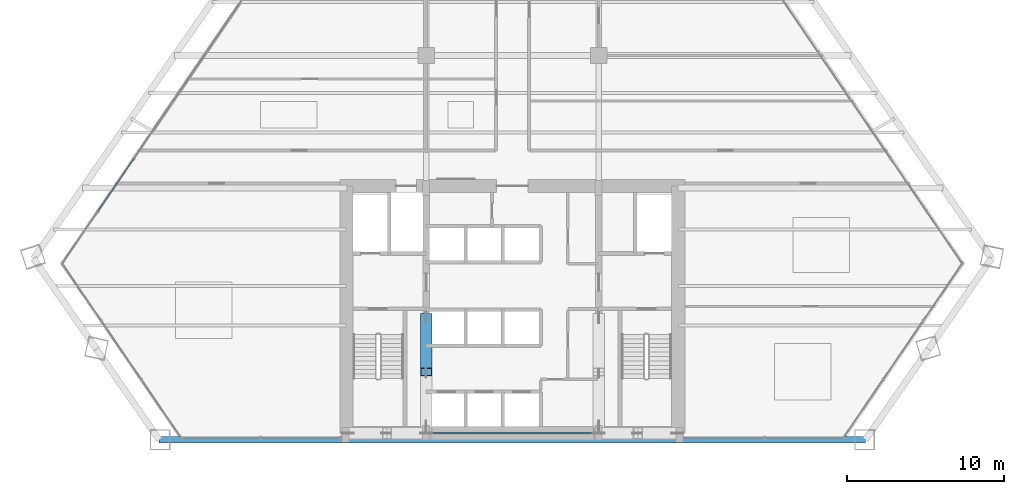
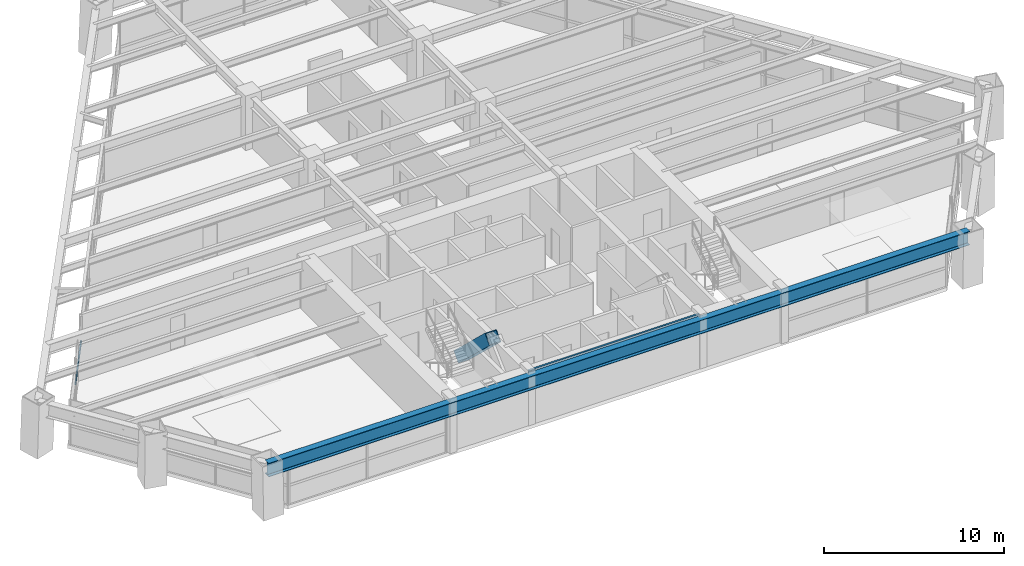
# One storey, part 3 of 13: 2 beams, 2 members, 1 element without a shape of its own.
"""IFC4 building model written with IfcOpenShell, lengths in metres."""

from ifc_helpers import new_model, si_unit, direction, frame, origin, origin_2d, place, context, subcontext, project, spatial, rectangle, hollow_rectangle, i_section, extrude, source, transform, mapped, material, material_profile, profile_set, type_object, type_shapes, element, aggregate, save


model = new_model("IFC4")

# Units and contexts
model_context = context("Model", 3, precision=1e-05, world=origin(), true_north=direction((0.0, 1.0)))
body_context = subcontext(model_context, "Body", "Model", "MODEL_VIEW")
ifc_project = project(units=[si_unit("LENGTHUNIT", "METRE"), si_unit("AREAUNIT", "SQUARE_METRE"), si_unit("VOLUMEUNIT", "CUBIC_METRE"), si_unit("PLANEANGLEUNIT", "RADIAN"), si_unit("MASSUNIT", "GRAM", prefix="KILO")], contexts=[model_context])

# Site, building, storey
site_placement = place(None, origin())
site = spatial("IfcSite", under=ifc_project, at=site_placement, CompositionType="ELEMENT")
building_placement = place(site_placement, origin())
building = spatial("IfcBuilding", under=site, at=building_placement, Name="Varnakhor Terracotta Tower", CompositionType="ELEMENT")
storey_placement = place(building_placement, frame((0.0, 0.0, 27.5)))
storey = spatial("IfcBuildingStorey", under=building, at=storey_placement, Name="L05", CompositionType="ELEMENT", Elevation=27.5)

# Beams
ifc_material_1 = material(Name="Steel S355", Category="steel")
ifc_material_profile_1 = material_profile(ifc_material_1, i_section(OverallWidth=0.41796875, OverallDepth=0.927001953125, WebThickness=0.01904296875, FlangeThickness=0.031982421875, FilletRadius=0.01806640625, at=origin_2d()), Name="W36X231")
ifc_profile_set_1 = profile_set([ifc_material_profile_1], Name="Steel S355")
beam_type_1 = type_object("IfcBeamType", Name="BM-W36X231", PredefinedType="BEAM", material=ifc_profile_set_1)
shared_shape_1 = source(origin(), body_context, "Body", "SweptSolid", [
    extrude(i_section(OverallWidth=0.41796875, OverallDepth=0.927001953125, WebThickness=0.01904296875, FlangeThickness=0.031982421875, FilletRadius=0.01806640625, at=origin_2d()), origin(), (0.0, 0.0, 1.0), 45.02783203125),
])
beam_1_placement = place(storey_placement, frame((-22.518798828125, 0.0, 2.986572265625), z_axis=(1.0, 0.0, 0.0), x_axis=(0.0, 1.0, 0.0)))
element("IfcBeam", 1, at=beam_1_placement, inside=storey, type_object=beam_type_1, Name="L05 Perimeter Spandrel 1", PredefinedType="BEAM", context=body_context, shape_type="MappedRepresentation", body=[
    mapped(shared_shape_1, transform((0.0, 0.0, 0.0), scale=1.0)),
])
ifc_material_profile_2 = material_profile(ifc_material_1, i_section(OverallWidth=0.1201171875, OverallDepth=0.239990234375, WebThickness=0.006103515625, FlangeThickness=0.009765625, FilletRadius=0.01806640625, at=origin_2d()), Name="IPE240")
ifc_profile_set_2 = profile_set([ifc_material_profile_2], Name="Steel S355")
beam_type_2 = type_object("IfcBeamType", Name="LNT-IPE240", PredefinedType="LINTEL", material=ifc_profile_set_2)
shared_shape_2 = source(origin(), body_context, "Body", "SweptSolid", [
    extrude(i_section(OverallWidth=0.1201171875, OverallDepth=0.239990234375, WebThickness=0.006103515625, FlangeThickness=0.009765625, FilletRadius=0.01806640625, at=origin_2d()), origin(), (0.0, 0.0, 1.0), 11.0),
])
type_shapes(beam_type_2, [shared_shape_2])
beam_2_placement = place(storey_placement, frame((-5.5, 0.419921875, 3.330078125), z_axis=(1.0, 0.0, 0.0), x_axis=(0.0, 1.0, 0.0)))
element("IfcBeam", 2, at=beam_2_placement, inside=storey, type_object=beam_type_2, Name="L05 Core South Coupling Lintel", PredefinedType="LINTEL", context=body_context, shape_type="MappedRepresentation", body=[
    mapped(shared_shape_2, transform((0.0, 0.0, 0.0), scale=1.0)),
])

# Member
ifc_material_2 = material(Name="Steel S460", Category="steel")
ifc_material_profile_3 = material_profile(ifc_material_2, hollow_rectangle(XDim=0.75, YDim=0.75, WallThickness=0.044921875, at=origin_2d()), Name="HSS750X750X45")
ifc_profile_set_3 = profile_set([ifc_material_profile_3], Name="Steel S460")
member_type_1 = type_object("IfcMemberType", Name="MBR-MEGA-750", PredefinedType="BRACE", material=ifc_profile_set_3)
shared_shape_3 = source(origin(), body_context, "Body", "SweptSolid", [
    extrude(hollow_rectangle(XDim=0.75, YDim=0.75, WallThickness=0.044921875, at=origin_2d()), origin(), (0.0, 0.0, 1.0), 4.792236328125),
])
member_1_placement = place(storey_placement, frame((-5.5, 7.800048828125, 0.0), z_axis=(0.0, -0.72513424341, 0.688607529028), x_axis=(1.0, 0.0, 0.0)))
element("IfcMember", 3, at=member_1_placement, inside=storey, type_object=member_type_1, Name="L05 Core Coupled Brace CWWB", PredefinedType="BRACE", context=body_context, shape_type="MappedRepresentation", body=[
    mapped(shared_shape_3, transform((0.0, 0.0, 0.0), scale=1.0)),
])

# Curtain wall, member
ifc_material_3 = material(Name="Anodised Aluminium Curtain Wall System", Category="aluminium")
curtain_wall_type = type_object("IfcCurtainWallType", Name="CW-SYS-LOW-OFFICE", PredefinedType="NOTDEFINED", material=ifc_material_3)
curtain_wall_placement = place(storey_placement, origin())
curtain_wall = element("IfcCurtainWall", 4, at=curtain_wall_placement, inside=storey, type_object=curtain_wall_type, Name="L05 Facet Curtain Wall 1", PredefinedType="NOTDEFINED")
ifc_material_4 = material(Name="Anodised Aluminium 6063-T6", Category="aluminium")
ifc_material_profile_4 = material_profile(ifc_material_4, rectangle(XDim=0.074951171875, YDim=0.1650390625, at=origin_2d()), Name="ALU TRANSOM 75x165")
ifc_profile_set_4 = profile_set([ifc_material_profile_4], Name="Anodised Aluminium 6063-T6")
member_type_2 = type_object("IfcMemberType", Name="CWT-02", PredefinedType="USERDEFINED", material=ifc_profile_set_4)
shared_shape_4 = source(origin(), body_context, "Body", "SweptSolid", [
    extrude(rectangle(XDim=0.074951171875, YDim=0.1650390625, at=origin_2d()), origin(), (0.0, 0.0, 1.0), 4.09521484375),
])
member_2_placement = place(storey_placement, frame((-26.4111328125, 14.574951171875, 1.272705078125), z_axis=(0.563610573699, 0.826040629276, 0.0), x_axis=(-0.826040629276, 0.563610573699, 0.0)))
member_2 = element("IfcMember", 5, at=member_2_placement, type_object=member_type_2, Name="L05 Facet Curtain Wall 1 Transom 2", ObjectType="TRANSOM", PredefinedType="USERDEFINED", context=body_context, shape_type="MappedRepresentation", body=[
    mapped(shared_shape_4, transform((0.0, 0.0, 0.0), scale=1.0)),
])
aggregate(curtain_wall, [member_2])

save(model, "model.ifc")
